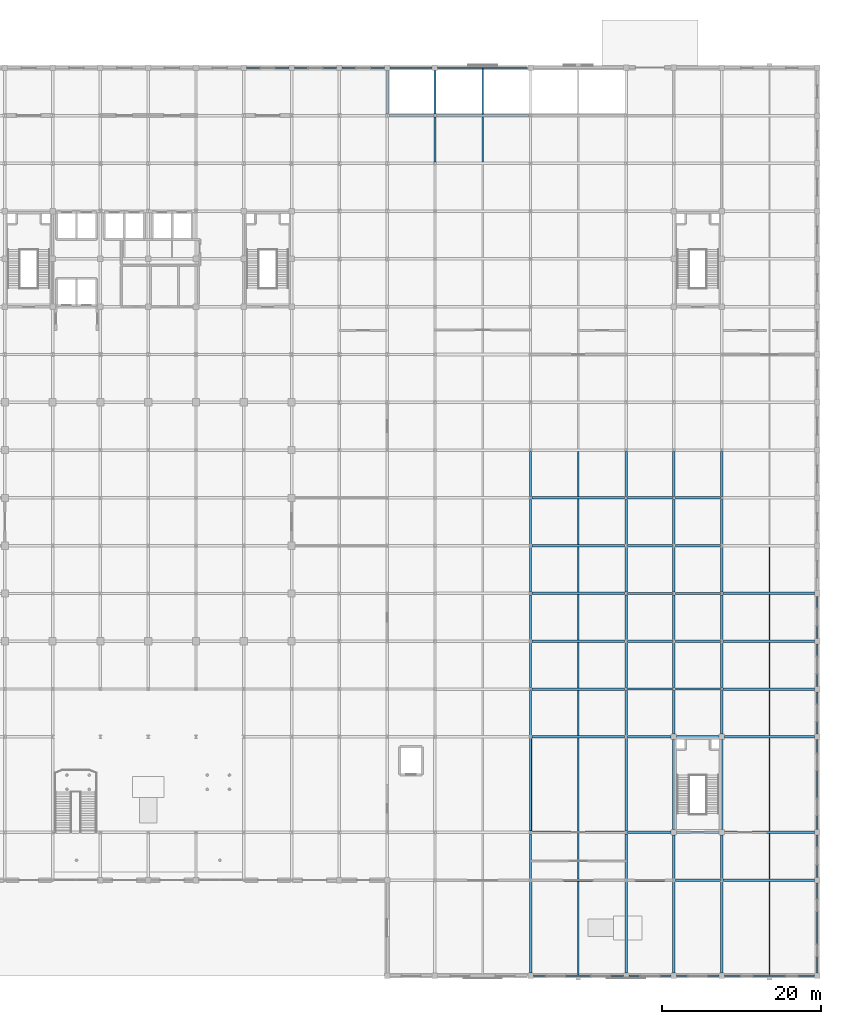
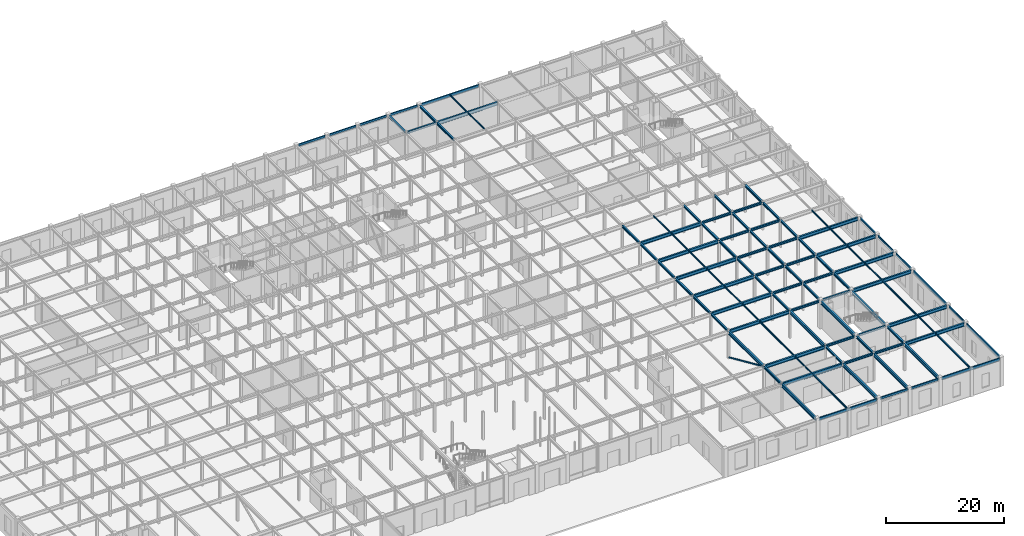
# One storey, part 37 of 51: 104 beams, 1 member.
"""IFC4 building model written with IfcOpenShell, lengths in metres."""

import ifcopenshell
import ifcopenshell.guid

model = None  # the IFC model being written
_history = None  # IfcOwnerHistory: only IFC2X3 demands one
_inside = {}  # id of a spatial element -> (the spatial element, [elements in it])
_under = {}  # id of a project, library or spatial element -> (it, [spatial elements below it])
_declared = {}  # id of a project -> (the project, [libraries it declares])
_typed = {}  # id of a type object -> (the type object, [elements of that type])
_made_of = {}  # id of a material, layer set ... -> (it, [elements and type objects made of it])


def new_model(schema):
    """Start an empty IFC model of exactly this schema.

    Asked for "IFC4X3", IfcOpenShell would pick the latest addendum, in which some entities
    have other attributes; the version numbers below select the first issue.
    IFC2X3 requires an IfcOwnerHistory on every rooted entity: one is made here for all.
    """
    global model, _history
    if schema == "IFC4X3":
        model = ifcopenshell.file(schema_version=(4, 3, 0, 0))
    else:
        model = ifcopenshell.file(schema=schema)
    _inside.clear()
    _under.clear()
    _declared.clear()
    _typed.clear()
    _made_of.clear()
    _history = None
    if model.schema == "IFC2X3":
        org = make("IfcOrganization", Name="unknown")
        user = make(
            "IfcPersonAndOrganization",
            ThePerson=make("IfcPerson", FamilyName="unknown"),
            TheOrganization=org,
        )
        app = make(
            "IfcApplication",
            ApplicationDeveloper=org,
            Version="unknown",
            ApplicationFullName="unknown",
            ApplicationIdentifier="unknown",
        )
        _history = make(
            "IfcOwnerHistory",
            OwningUser=user,
            OwningApplication=app,
            ChangeAction="ADDED",
            CreationDate=0,
        )
    return model


def make(cls, **values):
    """One entity of the class cls with the attributes given. An attribute that is None is left unset."""
    return model.create_entity(
        cls, **{name: value for name, value in values.items() if value is not None}
    )


def rooted(cls, **values):
    """An entity with a GlobalId (a new one), such as an element, a storey or a relation."""
    return make(cls, GlobalId=ifcopenshell.guid.new(), OwnerHistory=_history, **values)


def si_unit(unit_type, name, prefix=None):
    """IfcSIUnit, for example si_unit("LENGTHUNIT", "METRE", prefix="MILLI")."""
    return make("IfcSIUnit", UnitType=unit_type, Prefix=prefix, Name=name)


def assignment(units):
    """IfcUnitAssignment: the units of a project."""
    return None if units is None else make("IfcUnitAssignment", Units=units)


def point(xyz):
    """IfcCartesianPoint."""
    return None if xyz is None else make("IfcCartesianPoint", Coordinates=xyz)


def direction(xyz):
    """IfcDirection."""
    return None if xyz is None else make("IfcDirection", DirectionRatios=xyz)


def frame(location, z_axis=None, x_axis=None):
    """IfcAxis2Placement3D, a coordinate frame: its origin and axes. An axis left out is left unset."""
    return make(
        "IfcAxis2Placement3D",
        Location=point(location),
        Axis=direction(z_axis),
        RefDirection=direction(x_axis),
    )


def frame_2d(location, x_axis=None):
    """IfcAxis2Placement2D, a coordinate frame in the plane: its origin and x axis."""
    return make(
        "IfcAxis2Placement2D", Location=point(location), RefDirection=direction(x_axis)
    )


def origin():
    """The frame at (0, 0, 0) with its axes left unset."""
    return frame((0.0, 0.0, 0.0))


def origin_2d():
    """The frame at (0, 0) in the plane with its x axis left unset."""
    return frame_2d((0.0, 0.0))


def place(relative_to, where):
    """IfcLocalPlacement: puts the frame where relative to a parent placement (None: the world)."""
    return make(
        "IfcLocalPlacement", PlacementRelTo=relative_to, RelativePlacement=where
    )


def context(
    kind, dimensions, precision=None, world=None, true_north=None, identifier=None
):
    """IfcGeometricRepresentationContext, for example the 3D "Model" context."""
    return make(
        "IfcGeometricRepresentationContext",
        ContextIdentifier=identifier,
        ContextType=kind,
        CoordinateSpaceDimension=dimensions,
        Precision=precision,
        WorldCoordinateSystem=world,
        TrueNorth=true_north,
    )


def subcontext(parent, identifier, kind, view, scale=None):
    """IfcGeometricRepresentationSubContext, for example "Body" below "Model"."""
    return make(
        "IfcGeometricRepresentationSubContext",
        ContextIdentifier=identifier,
        ContextType=kind,
        ParentContext=parent,
        TargetScale=scale,
        TargetView=view,
    )


def project(units=None, contexts=None):
    """IfcProject with its units and contexts."""
    return rooted(
        "IfcProject",
        Name="project",
        RepresentationContexts=contexts,
        UnitsInContext=assignment(units),
    )


def spatial(cls, under=None, at=None, **own):
    """A site, building, storey or space (cls), placed at a placement, below another one or the project."""
    s = rooted(cls, ObjectPlacement=at, **own)
    if under is not None:
        _under.setdefault(under.id(), (under, []))[1].append(s)
    return s


def profile(cls, at=None, kind="AREA", **sizes):
    """A parametric profile (cls). Its sizes go by their IFC names, for example OverallWidth=200.0."""
    return make(cls, ProfileType=kind, Position=at, **sizes)


def hollow_rectangle(**sizes):
    """IfcRectangleHollowProfileDef."""
    return profile("IfcRectangleHollowProfileDef", **sizes)


def i_section(**sizes):
    """IfcIShapeProfileDef."""
    return profile("IfcIShapeProfileDef", **sizes)


def extrude(swept, where, along, depth):
    """IfcExtrudedAreaSolid: the profile swept, set in the frame where, extruded along a direction by depth."""
    return make(
        "IfcExtrudedAreaSolid",
        SweptArea=swept,
        Position=where,
        ExtrudedDirection=direction(along),
        Depth=depth,
    )


def shape(context_of_items, identifier, shape_type, items):
    """IfcShapeRepresentation: the items that make up one representation, for example the "Body"."""
    return make(
        "IfcShapeRepresentation",
        ContextOfItems=context_of_items,
        RepresentationIdentifier=identifier,
        RepresentationType=shape_type,
        Items=items,
    )


def material(Name=None, Category=None):
    """IfcMaterial."""
    return make("IfcMaterial", Name=Name, Category=Category)


def material_profile(
    of_material, cross_section, Name=None, Category=None, Priority=None
):
    """IfcMaterialProfile: a cross section and its material."""
    return make(
        "IfcMaterialProfile",
        Name=Name,
        Material=of_material,
        Profile=cross_section,
        Priority=Priority,
        Category=Category,
    )


def profile_set(profiles, Name=None, composite=None):
    """IfcMaterialProfileSet."""
    return make(
        "IfcMaterialProfileSet",
        Name=Name,
        MaterialProfiles=profiles,
        CompositeProfile=composite,
    )


def made_of(thing, what):
    """Note that an element or type object is made of a material, layer set ...; save() writes the relation."""
    if what is not None:
        _made_of.setdefault(what.id(), (what, []))[1].append(thing)
    return thing


def type_object(cls, material=None, **own):
    """A type object (cls), such as IfcWallType, which elements share."""
    return made_of(rooted(cls, **own), material)


def element(
    cls,
    number,
    at=None,
    inside=None,
    cuts=None,
    type_object=None,
    material=None,
    context=None,
    identifier="Body",
    shape_type=None,
    held_by="IfcProductDefinitionShape",
    body=None,
    shapes=None,
    **own,
):
    """One element of the class cls, such as IfcWall. Its Tag is "e" and its number.

    at: its placement. inside: the storey or other place that contains it. cuts: it is an
    opening in that element (IfcRelVoidsElement). A single representation is given by context,
    identifier, shape_type and body (its items); several are given by shapes. held_by: the class
    of the entity that holds the representations. save() writes the other relations.
    """
    e = rooted(cls, Tag="e%d" % number, ObjectPlacement=at, **own)
    if body is not None:
        shapes = [shape(context, identifier, shape_type, body)]
    if shapes is not None:
        e.Representation = make(held_by, Representations=shapes)
    if inside is not None:
        _inside.setdefault(inside.id(), (inside, []))[1].append(e)
    if cuts is not None:
        rooted(
            "IfcRelVoidsElement", RelatingBuildingElement=cuts, RelatedOpeningElement=e
        )
    if type_object is not None:
        _typed.setdefault(type_object.id(), (type_object, []))[1].append(e)
    return made_of(e, material)


def aggregate(whole, parts):
    """IfcRelAggregates: a whole, such as a stair, and the parts it consists of."""
    return rooted("IfcRelAggregates", RelatingObject=whole, RelatedObjects=parts)


def save(model, path):
    """Write the relations noted so far, then the file.

    IfcRelAggregates (storeys below a building ...), IfcRelContainedInSpatialStructure (elements
    in a storey), IfcRelDefinesByType, IfcRelAssociatesMaterial and IfcRelDeclares: one each for
    every whole, place, type object, material and project.
    """
    for whole, parts in _under.values():
        aggregate(whole, parts)
    for where, things in _inside.values():
        rooted(
            "IfcRelContainedInSpatialStructure",
            RelatedElements=things,
            RelatingStructure=where,
        )
    for kind, things in _typed.values():
        rooted("IfcRelDefinesByType", RelatedObjects=things, RelatingType=kind)
    for what, things in _made_of.values():
        rooted("IfcRelAssociatesMaterial", RelatedObjects=things, RelatingMaterial=what)
    for by, libraries in _declared.values():
        rooted("IfcRelDeclares", RelatingContext=by, RelatedDefinitions=libraries)
    model.write(path)


model = new_model("IFC4")

# Units and contexts
model_context = context("Model", 3, precision=1e-05, world=origin(), true_north=direction((0.0, 1.0)))
body_context = subcontext(model_context, "Body", "Model", "MODEL_VIEW")
ifc_project = project(units=[si_unit("LENGTHUNIT", "METRE"), si_unit("AREAUNIT", "SQUARE_METRE"), si_unit("VOLUMEUNIT", "CUBIC_METRE"), si_unit("PLANEANGLEUNIT", "RADIAN"), si_unit("MASSUNIT", "GRAM", prefix="KILO")], contexts=[model_context])

# Site, building, storey
site_placement = place(None, origin())
site = spatial("IfcSite", under=ifc_project, at=site_placement, CompositionType="ELEMENT")
building_placement = place(site_placement, origin())
building = spatial("IfcBuilding", under=site, at=building_placement, Name="Zlatovratsky Civic Hall", CompositionType="ELEMENT")
storey_placement = place(building_placement, origin())
storey = spatial("IfcBuildingStorey", under=building, at=storey_placement, Name="L01", CompositionType="ELEMENT", Elevation=0.0)

# Beams
ifc_material = material(Name="Steel S355", Category="steel")
ifc_material_profile_1 = material_profile(ifc_material, i_section(OverallWidth=0.320068359375, OverallDepth=0.68310546875, WebThickness=0.012939453125, FlangeThickness=0.01904296875, FilletRadius=0.02587890625, at=origin_2d()), Name="70Sh1")
ifc_profile_set_1 = profile_set([ifc_material_profile_1], Name="Steel S355")
beam_type_1 = type_object("IfcBeamType", Name="Beam_HallGirder_70Sh1", PredefinedType="BEAM", material=ifc_profile_set_1)
beam_1_placement = place(storey_placement, frame((132.175048828125, 12.0, 5.41845703125), z_axis=(1.0, 0.0, 0.0), x_axis=(0.0, 1.0, 0.0)))
element("IfcBeam", 1, at=beam_1_placement, inside=storey, type_object=beam_type_1, Name="BM-0899", PredefinedType="BEAM", context=body_context, shape_type="SweptSolid", body=[
    extrude(i_section(OverallWidth=0.320068359375, OverallDepth=0.68310546875, WebThickness=0.012939453125, FlangeThickness=0.01904296875, FilletRadius=0.02587890625, at=origin_2d()), origin(), (0.0, 0.0, 1.0), 11.64990234375),
])
beam_2_placement = place(storey_placement, frame((156.175048828125, 12.0, 5.41845703125), z_axis=(1.0, 0.0, 0.0), x_axis=(0.0, 1.0, 0.0)))
element("IfcBeam", 2, at=beam_2_placement, inside=storey, type_object=beam_type_1, Name="BM-0902", PredefinedType="BEAM", context=body_context, shape_type="SweptSolid", body=[
    extrude(i_section(OverallWidth=0.320068359375, OverallDepth=0.68310546875, WebThickness=0.012939453125, FlangeThickness=0.01904296875, FilletRadius=0.02587890625, at=origin_2d()), origin(), (0.0, 0.0, 1.0), 11.474853515625),
])
beam_3_placement = place(storey_placement, frame((132.175048828125, 18.0, 5.41845703125), z_axis=(1.0, 0.0, 0.0), x_axis=(0.0, 1.0, 0.0)))
element("IfcBeam", 3, at=beam_3_placement, inside=storey, type_object=beam_type_1, Name="BM-0921", PredefinedType="BEAM", context=body_context, shape_type="SweptSolid", body=[
    extrude(i_section(OverallWidth=0.320068359375, OverallDepth=0.68310546875, WebThickness=0.012939453125, FlangeThickness=0.01904296875, FilletRadius=0.02587890625, at=origin_2d()), origin(), (0.0, 0.0, 1.0), 11.64990234375),
])
beam_4_placement = place(storey_placement, frame((156.35009765625, 18.0, 5.41845703125), z_axis=(1.0, 0.0, 0.0), x_axis=(0.0, 1.0, 0.0)))
element("IfcBeam", 4, at=beam_4_placement, inside=storey, type_object=beam_type_1, Name="BM-0924", PredefinedType="BEAM", context=body_context, shape_type="SweptSolid", body=[
    extrude(i_section(OverallWidth=0.320068359375, OverallDepth=0.68310546875, WebThickness=0.012939453125, FlangeThickness=0.01904296875, FilletRadius=0.02587890625, at=origin_2d()), origin(), (0.0, 0.0, 1.0), 11.2998046875),
])
beam_5_placement = place(storey_placement, frame((132.175048828125, 30.0, 5.41845703125), z_axis=(1.0, 0.0, 0.0), x_axis=(0.0, 1.0, 0.0)))
element("IfcBeam", 5, at=beam_5_placement, inside=storey, type_object=beam_type_1, Name="BM-0939", PredefinedType="BEAM", context=body_context, shape_type="SweptSolid", body=[
    extrude(i_section(OverallWidth=0.320068359375, OverallDepth=0.68310546875, WebThickness=0.012939453125, FlangeThickness=0.01904296875, FilletRadius=0.02587890625, at=origin_2d()), origin(), (0.0, 0.0, 1.0), 11.64990234375),
])
beam_6_placement = place(storey_placement, frame((156.35009765625, 30.0, 5.41845703125), z_axis=(1.0, 0.0, 0.0), x_axis=(0.0, 1.0, 0.0)))
element("IfcBeam", 6, at=beam_6_placement, inside=storey, type_object=beam_type_1, Name="BM-0942", PredefinedType="BEAM", context=body_context, shape_type="SweptSolid", body=[
    extrude(i_section(OverallWidth=0.320068359375, OverallDepth=0.68310546875, WebThickness=0.012939453125, FlangeThickness=0.01904296875, FilletRadius=0.02587890625, at=origin_2d()), origin(), (0.0, 0.0, 1.0), 11.2998046875),
])
beam_7_placement = place(storey_placement, frame((132.175048828125, 36.0, 5.41845703125), z_axis=(1.0, 0.0, 0.0), x_axis=(0.0, 1.0, 0.0)))
element("IfcBeam", 7, at=beam_7_placement, inside=storey, type_object=beam_type_1, Name="BM-0961", PredefinedType="BEAM", context=body_context, shape_type="SweptSolid", body=[
    extrude(i_section(OverallWidth=0.320068359375, OverallDepth=0.68310546875, WebThickness=0.012939453125, FlangeThickness=0.01904296875, FilletRadius=0.02587890625, at=origin_2d()), origin(), (0.0, 0.0, 1.0), 11.64990234375),
])
beam_8_placement = place(storey_placement, frame((156.175048828125, 36.0, 5.41845703125), z_axis=(1.0, 0.0, 0.0), x_axis=(0.0, 1.0, 0.0)))
element("IfcBeam", 8, at=beam_8_placement, inside=storey, type_object=beam_type_1, Name="BM-0964", PredefinedType="BEAM", context=body_context, shape_type="SweptSolid", body=[
    extrude(i_section(OverallWidth=0.320068359375, OverallDepth=0.68310546875, WebThickness=0.012939453125, FlangeThickness=0.01904296875, FilletRadius=0.02587890625, at=origin_2d()), origin(), (0.0, 0.0, 1.0), 11.474853515625),
])
beam_9_placement = place(storey_placement, frame((132.175048828125, 42.0, 5.41845703125), z_axis=(1.0, 0.0, 0.0), x_axis=(0.0, 1.0, 0.0)))
element("IfcBeam", 9, at=beam_9_placement, inside=storey, type_object=beam_type_1, Name="BM-0983", PredefinedType="BEAM", context=body_context, shape_type="SweptSolid", body=[
    extrude(i_section(OverallWidth=0.320068359375, OverallDepth=0.68310546875, WebThickness=0.012939453125, FlangeThickness=0.01904296875, FilletRadius=0.02587890625, at=origin_2d()), origin(), (0.0, 0.0, 1.0), 11.64990234375),
])
beam_10_placement = place(storey_placement, frame((156.175048828125, 42.0, 5.41845703125), z_axis=(1.0, 0.0, 0.0), x_axis=(0.0, 1.0, 0.0)))
element("IfcBeam", 10, at=beam_10_placement, inside=storey, type_object=beam_type_1, Name="BM-0986", PredefinedType="BEAM", context=body_context, shape_type="SweptSolid", body=[
    extrude(i_section(OverallWidth=0.320068359375, OverallDepth=0.68310546875, WebThickness=0.012939453125, FlangeThickness=0.01904296875, FilletRadius=0.02587890625, at=origin_2d()), origin(), (0.0, 0.0, 1.0), 11.474853515625),
])
beam_11_placement = place(storey_placement, frame((132.175048828125, 48.0, 5.41845703125), z_axis=(1.0, 0.0, 0.0), x_axis=(0.0, 1.0, 0.0)))
element("IfcBeam", 11, at=beam_11_placement, inside=storey, type_object=beam_type_1, Name="BM-1005", PredefinedType="BEAM", context=body_context, shape_type="SweptSolid", body=[
    extrude(i_section(OverallWidth=0.320068359375, OverallDepth=0.68310546875, WebThickness=0.012939453125, FlangeThickness=0.01904296875, FilletRadius=0.02587890625, at=origin_2d()), origin(), (0.0, 0.0, 1.0), 11.64990234375),
])
beam_12_placement = place(storey_placement, frame((156.175048828125, 48.0, 5.41845703125), z_axis=(1.0, 0.0, 0.0), x_axis=(0.0, 1.0, 0.0)))
element("IfcBeam", 12, at=beam_12_placement, inside=storey, type_object=beam_type_1, Name="BM-1008", PredefinedType="BEAM", context=body_context, shape_type="SweptSolid", body=[
    extrude(i_section(OverallWidth=0.320068359375, OverallDepth=0.68310546875, WebThickness=0.012939453125, FlangeThickness=0.01904296875, FilletRadius=0.02587890625, at=origin_2d()), origin(), (0.0, 0.0, 1.0), 11.474853515625),
])
for number, where, z_axis, x_axis, name in (
    (13, (132.175048828125, 54.0, 5.41845703125), (1.0, 0.0, 0.0), (0.0, 1.0, 0.0), "BM-1027"),
    (14, (132.175048828125, 60.0, 5.41845703125), (1.0, 0.0, 0.0), (0.0, 1.0, 0.0), "BM-1049"),
    (15, (120.175048828125, 108.0, 5.41845703125), (1.0, 0.0, 0.0), (0.0, 1.0, 0.0), "BM-1220"),
):
    element("IfcBeam", number, at=place(storey_placement, frame(where, z_axis=z_axis, x_axis=x_axis)), inside=storey, type_object=beam_type_1, Name=name, PredefinedType="BEAM", context=body_context, shape_type="SweptSolid", body=[
        extrude(i_section(OverallWidth=0.320068359375, OverallDepth=0.68310546875, WebThickness=0.012939453125, FlangeThickness=0.01904296875, FilletRadius=0.02587890625, at=origin_2d()), origin(), (0.0, 0.0, 1.0), 11.64990234375),
    ])
beam_13_placement = place(storey_placement, frame((132.0, 0.35009765625, 5.41845703125), z_axis=(0.0, 1.0, 0.0), x_axis=(-1.0, 0.0, 0.0)))
element("IfcBeam", 16, at=beam_13_placement, inside=storey, type_object=beam_type_1, Name="BM-1538", PredefinedType="BEAM", context=body_context, shape_type="SweptSolid", body=[
    extrude(i_section(OverallWidth=0.320068359375, OverallDepth=0.68310546875, WebThickness=0.012939453125, FlangeThickness=0.01904296875, FilletRadius=0.02587890625, at=origin_2d()), origin(), (0.0, 0.0, 1.0), 11.478515625),
])
beam_14_placement = place(storey_placement, frame((132.0, 18.17138671875, 5.41845703125), z_axis=(0.0, 1.0, 0.0), x_axis=(-1.0, 0.0, 0.0)))
element("IfcBeam", 17, at=beam_14_placement, inside=storey, type_object=beam_type_1, Name="BM-1540", PredefinedType="BEAM", context=body_context, shape_type="SweptSolid", body=[
    extrude(i_section(OverallWidth=0.320068359375, OverallDepth=0.68310546875, WebThickness=0.012939453125, FlangeThickness=0.01904296875, FilletRadius=0.02587890625, at=origin_2d()), origin(), (0.0, 0.0, 1.0), 11.6572265625),
])
beam_15_placement = place(storey_placement, frame((144.0, 0.35009765625, 5.41845703125), z_axis=(0.0, 1.0, 0.0), x_axis=(-1.0, 0.0, 0.0)))
element("IfcBeam", 18, at=beam_15_placement, inside=storey, type_object=beam_type_1, Name="BM-1555", PredefinedType="BEAM", context=body_context, shape_type="SweptSolid", body=[
    extrude(i_section(OverallWidth=0.320068359375, OverallDepth=0.68310546875, WebThickness=0.012939453125, FlangeThickness=0.01904296875, FilletRadius=0.02587890625, at=origin_2d()), origin(), (0.0, 0.0, 1.0), 11.478515625),
])
beam_16_placement = place(storey_placement, frame((144.0, 18.17138671875, 5.41845703125), z_axis=(0.0, 1.0, 0.0), x_axis=(-1.0, 0.0, 0.0)))
element("IfcBeam", 19, at=beam_16_placement, inside=storey, type_object=beam_type_1, Name="BM-1557", PredefinedType="BEAM", context=body_context, shape_type="SweptSolid", body=[
    extrude(i_section(OverallWidth=0.320068359375, OverallDepth=0.68310546875, WebThickness=0.012939453125, FlangeThickness=0.01904296875, FilletRadius=0.02587890625, at=origin_2d()), origin(), (0.0, 0.0, 1.0), 11.6572265625),
])
beam_17_placement = place(storey_placement, frame((150.0, 0.35009765625, 5.41845703125), z_axis=(0.0, 1.0, 0.0), x_axis=(-1.0, 0.0, 0.0)))
element("IfcBeam", 20, at=beam_17_placement, inside=storey, type_object=beam_type_1, Name="BM-1572", PredefinedType="BEAM", context=body_context, shape_type="SweptSolid", body=[
    extrude(i_section(OverallWidth=0.320068359375, OverallDepth=0.68310546875, WebThickness=0.012939453125, FlangeThickness=0.01904296875, FilletRadius=0.02587890625, at=origin_2d()), origin(), (0.0, 0.0, 1.0), 11.478515625),
])
beam_18_placement = place(storey_placement, frame((150.0, 18.35009765625, 5.41845703125), z_axis=(0.0, 1.0, 0.0), x_axis=(-1.0, 0.0, 0.0)))
element("IfcBeam", 21, at=beam_18_placement, inside=storey, type_object=beam_type_1, Name="BM-1574", PredefinedType="BEAM", context=body_context, shape_type="SweptSolid", body=[
    extrude(i_section(OverallWidth=0.320068359375, OverallDepth=0.68310546875, WebThickness=0.012939453125, FlangeThickness=0.01904296875, FilletRadius=0.02587890625, at=origin_2d()), origin(), (0.0, 0.0, 1.0), 11.2998046875),
])
beam_19_placement = place(storey_placement, frame((156.0, 0.35009765625, 5.41845703125), z_axis=(0.0, 1.0, 0.0), x_axis=(-1.0, 0.0, 0.0)))
element("IfcBeam", 22, at=beam_19_placement, inside=storey, type_object=beam_type_1, Name="BM-1589", PredefinedType="BEAM", context=body_context, shape_type="SweptSolid", body=[
    extrude(i_section(OverallWidth=0.320068359375, OverallDepth=0.68310546875, WebThickness=0.012939453125, FlangeThickness=0.01904296875, FilletRadius=0.02587890625, at=origin_2d()), origin(), (0.0, 0.0, 1.0), 11.478515625),
])
beam_20_placement = place(storey_placement, frame((156.0, 18.35009765625, 5.41845703125), z_axis=(0.0, 1.0, 0.0), x_axis=(-1.0, 0.0, 0.0)))
element("IfcBeam", 23, at=beam_20_placement, inside=storey, type_object=beam_type_1, Name="BM-1591", PredefinedType="BEAM", context=body_context, shape_type="SweptSolid", body=[
    extrude(i_section(OverallWidth=0.320068359375, OverallDepth=0.68310546875, WebThickness=0.012939453125, FlangeThickness=0.01904296875, FilletRadius=0.02587890625, at=origin_2d()), origin(), (0.0, 0.0, 1.0), 11.2998046875),
])
ifc_material_profile_2 = material_profile(ifc_material, i_section(OverallWidth=0.198974609375, OverallDepth=0.491943359375, WebThickness=0.0087890625, FlangeThickness=0.011962890625, FilletRadius=0.01611328125, at=origin_2d()), Name="50B1")
ifc_profile_set_2 = profile_set([ifc_material_profile_2], Name="Steel S355")
beam_type_2 = type_object("IfcBeamType", Name="Beam_Spandrel_50B1", PredefinedType="SPANDREL", material=ifc_profile_set_2)
for number, where, z_axis, x_axis, name in (
    (24, (144.35009765625, 0.0, 5.513916015625), (1.0, 0.0, 0.0), (0.0, 1.0, 0.0), "BM-0878"),
    (25, (150.35009765625, 0.0, 5.513916015625), (1.0, 0.0, 0.0), (0.0, 1.0, 0.0), "BM-0879"),
    (26, (96.35009765625, 114.0, 5.513916015625), (1.0, 0.0, 0.0), (0.0, 1.0, 0.0), "BM-1238"),
    (27, (102.35009765625, 114.0, 5.513916015625), (1.0, 0.0, 0.0), (0.0, 1.0, 0.0), "BM-1239"),
    (28, (108.35009765625, 114.0, 5.513916015625), (1.0, 0.0, 0.0), (0.0, 1.0, 0.0), "BM-1240"),
    (29, (114.35009765625, 114.0, 5.513916015625), (1.0, 0.0, 0.0), (0.0, 1.0, 0.0), "BM-1241"),
    (30, (168.0, 12.35009765625, 5.513916015625), (0.0, 1.0, 0.0), (-1.0, 0.0, 0.0), "BM-1607"),
    (31, (168.0, 30.35009765625, 5.513916015625), (0.0, 1.0, 0.0), (-1.0, 0.0, 0.0), "BM-1609"),
    (32, (168.0, 36.35009765625, 5.513916015625), (0.0, 1.0, 0.0), (-1.0, 0.0, 0.0), "BM-1610"),
    (33, (168.0, 42.35009765625, 5.513916015625), (0.0, 1.0, 0.0), (-1.0, 0.0, 0.0), "BM-1611"),
):
    element("IfcBeam", number, at=place(storey_placement, frame(where, z_axis=z_axis, x_axis=x_axis)), inside=storey, type_object=beam_type_2, Name=name, PredefinedType="SPANDREL", context=body_context, shape_type="SweptSolid", body=[
        extrude(i_section(OverallWidth=0.198974609375, OverallDepth=0.491943359375, WebThickness=0.0087890625, FlangeThickness=0.011962890625, FilletRadius=0.01611328125, at=origin_2d()), origin(), (0.0, 0.0, 1.0), 5.2998046875),
    ])
ifc_material_profile_3 = material_profile(ifc_material, i_section(OverallWidth=0.198974609375, OverallDepth=0.593017578125, WebThickness=0.010498046875, FlangeThickness=0.014892578125, FilletRadius=0.01806640625, at=origin_2d()), Name="60B1")
ifc_profile_set_3 = profile_set([ifc_material_profile_3], Name="Steel S355")
beam_type_3 = type_object("IfcBeamType", Name="Beam_Spandrel_60B1", PredefinedType="SPANDREL", material=ifc_profile_set_3)
for number, where, z_axis, x_axis, name in (
    (34, (132.35009765625, 0.0, 5.46337890625), (1.0, 0.0, 0.0), (0.0, 1.0, 0.0), "BM-0877"),
    (35, (156.35009765625, 0.0, 5.46337890625), (1.0, 0.0, 0.0), (0.0, 1.0, 0.0), "BM-0880"),
    (36, (120.35009765625, 114.0, 5.46337890625), (1.0, 0.0, 0.0), (0.0, 1.0, 0.0), "BM-1242"),
    (37, (168.0, 0.35009765625, 5.46337890625), (0.0, 1.0, 0.0), (-1.0, 0.0, 0.0), "BM-1606"),
    (38, (168.0, 18.35009765625, 5.46337890625), (0.0, 1.0, 0.0), (-1.0, 0.0, 0.0), "BM-1608"),
):
    element("IfcBeam", number, at=place(storey_placement, frame(where, z_axis=z_axis, x_axis=x_axis)), inside=storey, type_object=beam_type_3, Name=name, PredefinedType="SPANDREL", context=body_context, shape_type="SweptSolid", body=[
        extrude(i_section(OverallWidth=0.198974609375, OverallDepth=0.593017578125, WebThickness=0.010498046875, FlangeThickness=0.014892578125, FilletRadius=0.01806640625, at=origin_2d()), origin(), (0.0, 0.0, 1.0), 11.2998046875),
    ])
ifc_material_profile_4 = material_profile(ifc_material, i_section(OverallWidth=0.300048828125, OverallDepth=0.43994140625, WebThickness=0.010986328125, FlangeThickness=0.01806640625, FilletRadius=0.02197265625, at=origin_2d()), Name="45Sh1")
ifc_profile_set_4 = profile_set([ifc_material_profile_4], Name="Steel S355")
beam_type_4 = type_object("IfcBeamType", Name="Beam_TowerLow_45Sh1", PredefinedType="BEAM", material=ifc_profile_set_4)
for number, where, z_axis, x_axis, name in (
    (39, (144.175048828125, 12.0, 5.5400390625), (1.0, 0.0, 0.0), (0.0, 1.0, 0.0), "BM-0900"),
    (40, (150.175048828125, 12.0, 5.5400390625), (1.0, 0.0, 0.0), (0.0, 1.0, 0.0), "BM-0901"),
):
    element("IfcBeam", number, at=place(storey_placement, frame(where, z_axis=z_axis, x_axis=x_axis)), inside=storey, type_object=beam_type_4, Name=name, PredefinedType="BEAM", context=body_context, shape_type="SweptSolid", body=[
        extrude(i_section(OverallWidth=0.300048828125, OverallDepth=0.43994140625, WebThickness=0.010986328125, FlangeThickness=0.01806640625, FilletRadius=0.02197265625, at=origin_2d()), origin(), (0.0, 0.0, 1.0), 5.64990234375),
    ])
beam_21_placement = place(storey_placement, frame((144.175048828125, 18.0, 5.5400390625), z_axis=(1.0, 0.0, 0.0), x_axis=(0.0, 1.0, 0.0)))
element("IfcBeam", 41, at=beam_21_placement, inside=storey, type_object=beam_type_4, Name="BM-0922", PredefinedType="BEAM", context=body_context, shape_type="SweptSolid", body=[
    extrude(i_section(OverallWidth=0.300048828125, OverallDepth=0.43994140625, WebThickness=0.010986328125, FlangeThickness=0.01806640625, FilletRadius=0.02197265625, at=origin_2d()), origin(), (0.0, 0.0, 1.0), 5.474853515625),
])
beam_22_placement = place(storey_placement, frame((150.35009765625, 18.0, 5.5400390625), z_axis=(1.0, 0.0, 0.0), x_axis=(0.0, 1.0, 0.0)))
element("IfcBeam", 42, at=beam_22_placement, inside=storey, type_object=beam_type_4, Name="BM-0923", PredefinedType="BEAM", context=body_context, shape_type="SweptSolid", body=[
    extrude(i_section(OverallWidth=0.300048828125, OverallDepth=0.43994140625, WebThickness=0.010986328125, FlangeThickness=0.01806640625, FilletRadius=0.02197265625, at=origin_2d()), origin(), (0.0, 0.0, 1.0), 5.2998046875),
])
beam_23_placement = place(storey_placement, frame((144.175048828125, 30.0, 5.5400390625), z_axis=(1.0, 0.0, 0.0), x_axis=(0.0, 1.0, 0.0)))
element("IfcBeam", 43, at=beam_23_placement, inside=storey, type_object=beam_type_4, Name="BM-0940", PredefinedType="BEAM", context=body_context, shape_type="SweptSolid", body=[
    extrude(i_section(OverallWidth=0.300048828125, OverallDepth=0.43994140625, WebThickness=0.010986328125, FlangeThickness=0.01806640625, FilletRadius=0.02197265625, at=origin_2d()), origin(), (0.0, 0.0, 1.0), 5.474853515625),
])
beam_24_placement = place(storey_placement, frame((150.35009765625, 30.0, 5.5400390625), z_axis=(1.0, 0.0, 0.0), x_axis=(0.0, 1.0, 0.0)))
element("IfcBeam", 44, at=beam_24_placement, inside=storey, type_object=beam_type_4, Name="BM-0941", PredefinedType="BEAM", context=body_context, shape_type="SweptSolid", body=[
    extrude(i_section(OverallWidth=0.300048828125, OverallDepth=0.43994140625, WebThickness=0.010986328125, FlangeThickness=0.01806640625, FilletRadius=0.02197265625, at=origin_2d()), origin(), (0.0, 0.0, 1.0), 5.2998046875),
])
for number, where, z_axis, x_axis, name in (
    (45, (144.175048828125, 36.0, 5.5400390625), (1.0, 0.0, 0.0), (0.0, 1.0, 0.0), "BM-0962"),
    (46, (150.175048828125, 36.0, 5.5400390625), (1.0, 0.0, 0.0), (0.0, 1.0, 0.0), "BM-0963"),
    (47, (144.175048828125, 42.0, 5.5400390625), (1.0, 0.0, 0.0), (0.0, 1.0, 0.0), "BM-0984"),
    (48, (150.175048828125, 42.0, 5.5400390625), (1.0, 0.0, 0.0), (0.0, 1.0, 0.0), "BM-0985"),
    (49, (144.175048828125, 48.0, 5.5400390625), (1.0, 0.0, 0.0), (0.0, 1.0, 0.0), "BM-1006"),
    (50, (150.175048828125, 48.0, 5.5400390625), (1.0, 0.0, 0.0), (0.0, 1.0, 0.0), "BM-1007"),
    (51, (144.175048828125, 54.0, 5.5400390625), (1.0, 0.0, 0.0), (0.0, 1.0, 0.0), "BM-1028"),
    (52, (150.175048828125, 54.0, 5.5400390625), (1.0, 0.0, 0.0), (0.0, 1.0, 0.0), "BM-1029"),
    (53, (144.175048828125, 60.0, 5.5400390625), (1.0, 0.0, 0.0), (0.0, 1.0, 0.0), "BM-1050"),
    (54, (150.175048828125, 60.0, 5.5400390625), (1.0, 0.0, 0.0), (0.0, 1.0, 0.0), "BM-1051"),
):
    element("IfcBeam", number, at=place(storey_placement, frame(where, z_axis=z_axis, x_axis=x_axis)), inside=storey, type_object=beam_type_4, Name=name, PredefinedType="BEAM", context=body_context, shape_type="SweptSolid", body=[
        extrude(i_section(OverallWidth=0.300048828125, OverallDepth=0.43994140625, WebThickness=0.010986328125, FlangeThickness=0.01806640625, FilletRadius=0.02197265625, at=origin_2d()), origin(), (0.0, 0.0, 1.0), 5.64990234375),
    ])
beam_25_placement = place(storey_placement, frame((114.20458984375, 108.0, 5.5400390625), z_axis=(1.0, 0.0, 0.0), x_axis=(0.0, 1.0, 0.0)))
element("IfcBeam", 55, at=beam_25_placement, inside=storey, type_object=beam_type_4, Name="BM-1219", PredefinedType="BEAM", context=body_context, shape_type="SweptSolid", body=[
    extrude(i_section(OverallWidth=0.300048828125, OverallDepth=0.43994140625, WebThickness=0.010986328125, FlangeThickness=0.01806640625, FilletRadius=0.02197265625, at=origin_2d()), origin(), (0.0, 0.0, 1.0), 5.620361328125),
])
beam_26_placement = place(storey_placement, frame((114.0, 108.214599609375, 5.5400390625), z_axis=(0.0, 1.0, 0.0), x_axis=(-1.0, 0.0, 0.0)))
element("IfcBeam", 56, at=beam_26_placement, inside=storey, type_object=beam_type_4, Name="BM-1520", PredefinedType="BEAM", context=body_context, shape_type="SweptSolid", body=[
    extrude(i_section(OverallWidth=0.300048828125, OverallDepth=0.43994140625, WebThickness=0.010986328125, FlangeThickness=0.01806640625, FilletRadius=0.02197265625, at=origin_2d()), origin(), (0.0, 0.0, 1.0), 5.435302734375),
])
beam_27_placement = place(storey_placement, frame((120.0, 102.17138671875, 5.5400390625), z_axis=(0.0, 1.0, 0.0), x_axis=(-1.0, 0.0, 0.0)))
element("IfcBeam", 57, at=beam_27_placement, inside=storey, type_object=beam_type_4, Name="BM-1536", PredefinedType="BEAM", context=body_context, shape_type="SweptSolid", body=[
    extrude(i_section(OverallWidth=0.300048828125, OverallDepth=0.43994140625, WebThickness=0.010986328125, FlangeThickness=0.01806640625, FilletRadius=0.02197265625, at=origin_2d()), origin(), (0.0, 0.0, 1.0), 5.6572265625),
])
beam_28_placement = place(storey_placement, frame((120.0, 108.17138671875, 5.5400390625), z_axis=(0.0, 1.0, 0.0), x_axis=(-1.0, 0.0, 0.0)))
element("IfcBeam", 58, at=beam_28_placement, inside=storey, type_object=beam_type_4, Name="BM-1537", PredefinedType="BEAM", context=body_context, shape_type="SweptSolid", body=[
    extrude(i_section(OverallWidth=0.300048828125, OverallDepth=0.43994140625, WebThickness=0.010986328125, FlangeThickness=0.01806640625, FilletRadius=0.02197265625, at=origin_2d()), origin(), (0.0, 0.0, 1.0), 5.478515625),
])
for number, where, z_axis, x_axis, name in (
    (59, (132.0, 12.17138671875, 5.5400390625), (0.0, 1.0, 0.0), (-1.0, 0.0, 0.0), "BM-1539"),
    (60, (132.0, 30.17138671875, 5.5400390625), (0.0, 1.0, 0.0), (-1.0, 0.0, 0.0), "BM-1541"),
    (61, (132.0, 36.17138671875, 5.5400390625), (0.0, 1.0, 0.0), (-1.0, 0.0, 0.0), "BM-1542"),
    (62, (132.0, 42.17138671875, 5.5400390625), (0.0, 1.0, 0.0), (-1.0, 0.0, 0.0), "BM-1543"),
    (63, (132.0, 48.17138671875, 5.5400390625), (0.0, 1.0, 0.0), (-1.0, 0.0, 0.0), "BM-1544"),
    (64, (132.0, 54.17138671875, 5.5400390625), (0.0, 1.0, 0.0), (-1.0, 0.0, 0.0), "BM-1545"),
    (65, (132.0, 60.17138671875, 5.5400390625), (0.0, 1.0, 0.0), (-1.0, 0.0, 0.0), "BM-1546"),
    (66, (144.0, 12.17138671875, 5.5400390625), (0.0, 1.0, 0.0), (-1.0, 0.0, 0.0), "BM-1556"),
    (67, (144.0, 30.17138671875, 5.5400390625), (0.0, 1.0, 0.0), (-1.0, 0.0, 0.0), "BM-1558"),
    (68, (144.0, 36.17138671875, 5.5400390625), (0.0, 1.0, 0.0), (-1.0, 0.0, 0.0), "BM-1559"),
    (69, (144.0, 42.17138671875, 5.5400390625), (0.0, 1.0, 0.0), (-1.0, 0.0, 0.0), "BM-1560"),
    (70, (144.0, 48.17138671875, 5.5400390625), (0.0, 1.0, 0.0), (-1.0, 0.0, 0.0), "BM-1561"),
    (71, (144.0, 54.17138671875, 5.5400390625), (0.0, 1.0, 0.0), (-1.0, 0.0, 0.0), "BM-1562"),
    (72, (144.0, 60.17138671875, 5.5400390625), (0.0, 1.0, 0.0), (-1.0, 0.0, 0.0), "BM-1563"),
):
    element("IfcBeam", number, at=place(storey_placement, frame(where, z_axis=z_axis, x_axis=x_axis)), inside=storey, type_object=beam_type_4, Name=name, PredefinedType="BEAM", context=body_context, shape_type="SweptSolid", body=[
        extrude(i_section(OverallWidth=0.300048828125, OverallDepth=0.43994140625, WebThickness=0.010986328125, FlangeThickness=0.01806640625, FilletRadius=0.02197265625, at=origin_2d()), origin(), (0.0, 0.0, 1.0), 5.6572265625),
    ])
for number, where, z_axis, x_axis, name in (
    (73, (150.0, 12.17138671875, 5.5400390625), (0.0, 1.0, 0.0), (-1.0, 0.0, 0.0), "BM-1573"),
    (74, (150.0, 30.35009765625, 5.5400390625), (0.0, 1.0, 0.0), (-1.0, 0.0, 0.0), "BM-1575"),
):
    element("IfcBeam", number, at=place(storey_placement, frame(where, z_axis=z_axis, x_axis=x_axis)), inside=storey, type_object=beam_type_4, Name=name, PredefinedType="BEAM", context=body_context, shape_type="SweptSolid", body=[
        extrude(i_section(OverallWidth=0.300048828125, OverallDepth=0.43994140625, WebThickness=0.010986328125, FlangeThickness=0.01806640625, FilletRadius=0.02197265625, at=origin_2d()), origin(), (0.0, 0.0, 1.0), 5.478515625),
    ])
for number, where, z_axis, x_axis, name in (
    (75, (150.0, 36.17138671875, 5.5400390625), (0.0, 1.0, 0.0), (-1.0, 0.0, 0.0), "BM-1576"),
    (76, (150.0, 42.17138671875, 5.5400390625), (0.0, 1.0, 0.0), (-1.0, 0.0, 0.0), "BM-1577"),
    (77, (150.0, 48.17138671875, 5.5400390625), (0.0, 1.0, 0.0), (-1.0, 0.0, 0.0), "BM-1578"),
    (78, (150.0, 54.17138671875, 5.5400390625), (0.0, 1.0, 0.0), (-1.0, 0.0, 0.0), "BM-1579"),
    (79, (150.0, 60.17138671875, 5.5400390625), (0.0, 1.0, 0.0), (-1.0, 0.0, 0.0), "BM-1580"),
):
    element("IfcBeam", number, at=place(storey_placement, frame(where, z_axis=z_axis, x_axis=x_axis)), inside=storey, type_object=beam_type_4, Name=name, PredefinedType="BEAM", context=body_context, shape_type="SweptSolid", body=[
        extrude(i_section(OverallWidth=0.300048828125, OverallDepth=0.43994140625, WebThickness=0.010986328125, FlangeThickness=0.01806640625, FilletRadius=0.02197265625, at=origin_2d()), origin(), (0.0, 0.0, 1.0), 5.6572265625),
    ])
for number, where, z_axis, x_axis, name in (
    (80, (156.0, 12.17138671875, 5.5400390625), (0.0, 1.0, 0.0), (-1.0, 0.0, 0.0), "BM-1590"),
    (81, (156.0, 30.35009765625, 5.5400390625), (0.0, 1.0, 0.0), (-1.0, 0.0, 0.0), "BM-1592"),
):
    element("IfcBeam", number, at=place(storey_placement, frame(where, z_axis=z_axis, x_axis=x_axis)), inside=storey, type_object=beam_type_4, Name=name, PredefinedType="BEAM", context=body_context, shape_type="SweptSolid", body=[
        extrude(i_section(OverallWidth=0.300048828125, OverallDepth=0.43994140625, WebThickness=0.010986328125, FlangeThickness=0.01806640625, FilletRadius=0.02197265625, at=origin_2d()), origin(), (0.0, 0.0, 1.0), 5.478515625),
    ])
for number, where, z_axis, x_axis, name in (
    (82, (156.0, 36.17138671875, 5.5400390625), (0.0, 1.0, 0.0), (-1.0, 0.0, 0.0), "BM-1593"),
    (83, (156.0, 42.17138671875, 5.5400390625), (0.0, 1.0, 0.0), (-1.0, 0.0, 0.0), "BM-1594"),
    (84, (156.0, 48.17138671875, 5.5400390625), (0.0, 1.0, 0.0), (-1.0, 0.0, 0.0), "BM-1595"),
    (85, (156.0, 54.17138671875, 5.5400390625), (0.0, 1.0, 0.0), (-1.0, 0.0, 0.0), "BM-1596"),
    (86, (156.0, 60.17138671875, 5.5400390625), (0.0, 1.0, 0.0), (-1.0, 0.0, 0.0), "BM-1597"),
):
    element("IfcBeam", number, at=place(storey_placement, frame(where, z_axis=z_axis, x_axis=x_axis)), inside=storey, type_object=beam_type_4, Name=name, PredefinedType="BEAM", context=body_context, shape_type="SweptSolid", body=[
        extrude(i_section(OverallWidth=0.300048828125, OverallDepth=0.43994140625, WebThickness=0.010986328125, FlangeThickness=0.01806640625, FilletRadius=0.02197265625, at=origin_2d()), origin(), (0.0, 0.0, 1.0), 5.6572265625),
    ])

# Member
ifc_material_profile_5 = material_profile(ifc_material, hollow_rectangle(XDim=0.219970703125, YDim=0.219970703125, WallThickness=0.010009765625, at=origin_2d()), Name="SHS 220x220x10")
ifc_profile_set_5 = profile_set([ifc_material_profile_5], Name="Steel S355")
member_type = type_object("IfcMemberType", Name="Brace_Podium_SHS220", PredefinedType="BRACE", material=ifc_profile_set_5)
member_placement = place(storey_placement, frame((132.0, 18.17138671875, 5.449951171875), z_axis=(0.0, 0.91325938585, -0.407378563693), x_axis=(-1.0, 0.0, 0.0)))
element("IfcMember", 87, at=member_placement, inside=storey, type_object=member_type, Name="MB-0097", PredefinedType="BRACE", context=body_context, shape_type="SweptSolid", body=[
    extrude(hollow_rectangle(XDim=0.219970703125, YDim=0.219970703125, WallThickness=0.010009765625, at=origin_2d()), origin(), (0.0, 0.0, 1.0), 12.764404296875),
])

# Beams
ifc_material_profile_6 = material_profile(ifc_material, i_section(OverallWidth=0.175048828125, OverallDepth=0.35009765625, WebThickness=0.007080078125, FlangeThickness=0.010986328125, FilletRadius=0.013916015625, at=origin_2d()), Name="35B2")
ifc_profile_set_6 = profile_set([ifc_material_profile_6], Name="Steel S355")
beam_type_5 = type_object("IfcBeamType", Name="Joist_Heavy_35B2", PredefinedType="JOIST", material=ifc_profile_set_6)
for number, where, z_axis, x_axis, name in (
    (88, (138.0, 0.099609375, 5.5849609375), (0.0, 1.0, 0.0), (-1.0, 0.0, 0.0), "BM-1627"),
    (89, (162.0, 0.099609375, 5.5849609375), (0.0, 1.0, 0.0), (-1.0, 0.0, 0.0), "BM-1628"),
):
    element("IfcBeam", number, at=place(storey_placement, frame(where, z_axis=z_axis, x_axis=x_axis)), inside=storey, type_object=beam_type_5, Name=name, PredefinedType="JOIST", context=body_context, shape_type="SweptSolid", body=[
        extrude(i_section(OverallWidth=0.175048828125, OverallDepth=0.35009765625, WebThickness=0.007080078125, FlangeThickness=0.010986328125, FilletRadius=0.013916015625, at=origin_2d()), origin(), (0.0, 0.0, 1.0), 11.740478515625),
    ])
for number, where, z_axis, x_axis, name in (
    (90, (138.0, 18.159912109375, 5.5849609375), (0.0, 1.0, 0.0), (-1.0, 0.0, 0.0), "BM-1639"),
    (91, (162.0, 18.159912109375, 5.5849609375), (0.0, 1.0, 0.0), (-1.0, 0.0, 0.0), "BM-1640"),
):
    element("IfcBeam", number, at=place(storey_placement, frame(where, z_axis=z_axis, x_axis=x_axis)), inside=storey, type_object=beam_type_5, Name=name, PredefinedType="JOIST", context=body_context, shape_type="SweptSolid", body=[
        extrude(i_section(OverallWidth=0.175048828125, OverallDepth=0.35009765625, WebThickness=0.007080078125, FlangeThickness=0.010986328125, FilletRadius=0.013916015625, at=origin_2d()), origin(), (0.0, 0.0, 1.0), 11.68017578125),
    ])
ifc_material_profile_7 = material_profile(ifc_material, i_section(OverallWidth=0.14990234375, OverallDepth=0.300048828125, WebThickness=0.006591796875, FlangeThickness=0.009033203125, FilletRadius=0.012939453125, at=origin_2d()), Name="30B2")
ifc_profile_set_7 = profile_set([ifc_material_profile_7], Name="Steel S355")
beam_type_6 = type_object("IfcBeamType", Name="Joist_Podium_30B2", PredefinedType="JOIST", material=ifc_profile_set_7)
for number, where, z_axis, x_axis, name in (
    (92, (138.0, 12.159912109375, 5.610107421875), (0.0, 1.0, 0.0), (-1.0, 0.0, 0.0), "BM-1633"),
    (93, (162.0, 12.159912109375, 5.610107421875), (0.0, 1.0, 0.0), (-1.0, 0.0, 0.0), "BM-1634"),
    (94, (138.0, 30.159912109375, 5.610107421875), (0.0, 1.0, 0.0), (-1.0, 0.0, 0.0), "BM-1645"),
    (95, (162.0, 30.159912109375, 5.610107421875), (0.0, 1.0, 0.0), (-1.0, 0.0, 0.0), "BM-1646"),
    (96, (138.0, 36.159912109375, 5.610107421875), (0.0, 1.0, 0.0), (-1.0, 0.0, 0.0), "BM-1651"),
    (97, (162.0, 36.159912109375, 5.610107421875), (0.0, 1.0, 0.0), (-1.0, 0.0, 0.0), "BM-1652"),
    (98, (138.0, 42.159912109375, 5.610107421875), (0.0, 1.0, 0.0), (-1.0, 0.0, 0.0), "BM-1657"),
    (99, (162.0, 42.159912109375, 5.610107421875), (0.0, 1.0, 0.0), (-1.0, 0.0, 0.0), "BM-1658"),
    (100, (138.0, 48.159912109375, 5.610107421875), (0.0, 1.0, 0.0), (-1.0, 0.0, 0.0), "BM-1663"),
    (101, (162.0, 48.159912109375, 5.610107421875), (0.0, 1.0, 0.0), (-1.0, 0.0, 0.0), "BM-1664"),
    (102, (138.0, 54.159912109375, 5.610107421875), (0.0, 1.0, 0.0), (-1.0, 0.0, 0.0), "BM-1669"),
    (103, (138.0, 60.159912109375, 5.610107421875), (0.0, 1.0, 0.0), (-1.0, 0.0, 0.0), "BM-1675"),
    (104, (126.0, 102.159912109375, 5.610107421875), (0.0, 1.0, 0.0), (-1.0, 0.0, 0.0), "BM-1718"),
):
    element("IfcBeam", number, at=place(storey_placement, frame(where, z_axis=z_axis, x_axis=x_axis)), inside=storey, type_object=beam_type_6, Name=name, PredefinedType="JOIST", context=body_context, shape_type="SweptSolid", body=[
        extrude(i_section(OverallWidth=0.14990234375, OverallDepth=0.300048828125, WebThickness=0.006591796875, FlangeThickness=0.009033203125, FilletRadius=0.012939453125, at=origin_2d()), origin(), (0.0, 0.0, 1.0), 5.68017578125),
    ])
beam_29_placement = place(storey_placement, frame((126.0, 108.159912109375, 5.610107421875), z_axis=(0.0, 1.0, 0.0), x_axis=(-1.0, 0.0, 0.0)))
element("IfcBeam", 105, at=beam_29_placement, inside=storey, type_object=beam_type_6, Name="BM-1724", PredefinedType="JOIST", context=body_context, shape_type="SweptSolid", body=[
    extrude(i_section(OverallWidth=0.14990234375, OverallDepth=0.300048828125, WebThickness=0.006591796875, FlangeThickness=0.009033203125, FilletRadius=0.012939453125, at=origin_2d()), origin(), (0.0, 0.0, 1.0), 5.740478515625),
])

save(model, "model.ifc")
